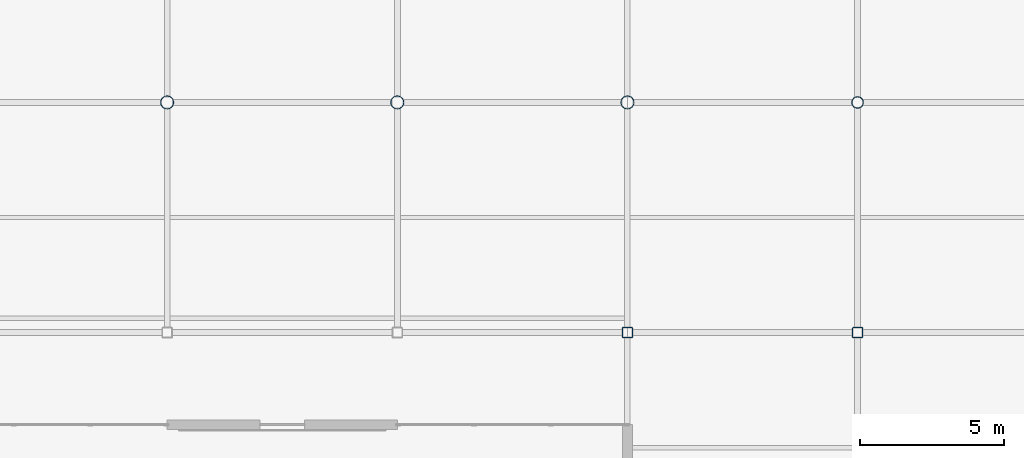
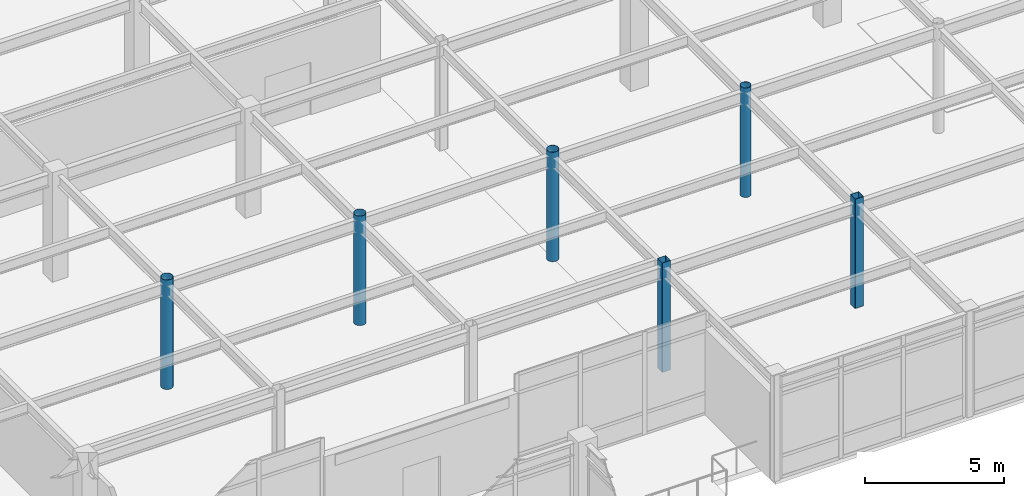
# One storey, part 14 of 117: 6 columns.
"""IFC4 building model written with IfcOpenShell, lengths in metres."""

from ifc_helpers import new_model, si_unit, direction, frame, origin, origin_2d, place, context, subcontext, project, spatial, hollow_rectangle, hollow_circle, extrude, material, material_profile, profile_set, type_object, element, save


model = new_model("IFC4")

# Units and contexts
model_context = context("Model", 3, precision=1e-05, world=origin(), true_north=direction((0.0, 1.0)))
body_context = subcontext(model_context, "Body", "Model", "MODEL_VIEW")
ifc_project = project(units=[si_unit("LENGTHUNIT", "METRE"), si_unit("AREAUNIT", "SQUARE_METRE"), si_unit("VOLUMEUNIT", "CUBIC_METRE"), si_unit("PLANEANGLEUNIT", "RADIAN"), si_unit("MASSUNIT", "GRAM", prefix="KILO")], contexts=[model_context])

# Site, building, storey
site_placement = place(None, origin())
site = spatial("IfcSite", under=ifc_project, at=site_placement, CompositionType="ELEMENT")
building_placement = place(site_placement, origin())
building = spatial("IfcBuilding", under=site, at=building_placement, Name="Solmirada Galleria", CompositionType="ELEMENT")
storey_placement = place(building_placement, frame((0.0, 0.0, 5.60009765625)))
storey = spatial("IfcBuildingStorey", under=building, at=storey_placement, Name="L01", CompositionType="ELEMENT", Elevation=5.60009765625)

# Columns
ifc_material = material(Name="Steel S355 / ASTM A500 Grade C", Category="steel")
ifc_material_profile_1 = material_profile(ifc_material, hollow_circle(Radius=0.202880859375, WallThickness=0.01171875, at=origin_2d()), Name="HSS16.000X0.500")
ifc_profile_set_1 = profile_set([ifc_material_profile_1], Name="Steel S355 / ASTM A500 Grade C")
column_type_1 = type_object("IfcColumnType", Name="COL-CHS16", PredefinedType="COLUMN", material=ifc_profile_set_1)
column_placement = place(storey_placement, frame((128.0, 88.0, 0.0), z_axis=(0.0, 0.0, 1.0), x_axis=(1.0, 0.0, 0.0)))
element("IfcColumn", 1, at=column_placement, inside=storey, type_object=column_type_1, Name="Structural column L01-1061", PredefinedType="COLUMN", context=body_context, shape_type="SweptSolid", body=[
    extrude(hollow_circle(Radius=0.202880859375, WallThickness=0.01171875, at=origin_2d()), origin(), (0.0, 0.0, 1.0), 4.7998046875),
])
ifc_material_profile_2 = material_profile(ifc_material, hollow_circle(Radius=0.228515625, WallThickness=0.01171875, at=origin_2d()), Name="HSS18.000X0.500")
ifc_profile_set_2 = profile_set([ifc_material_profile_2], Name="Steel S355 / ASTM A500 Grade C")
column_type_2 = type_object("IfcColumnType", Name="COL-CHS18", PredefinedType="COLUMN", material=ifc_profile_set_2)
for number, where, z_axis, x_axis, name in (
    (2, (104.0, 88.0, 0.0), (0.0, 0.0, 1.0), (1.0, 0.0, 0.0), "Structural column L01-0771"),
    (3, (112.0, 88.0, 0.0), (0.0, 0.0, 1.0), (1.0, 0.0, 0.0), "Structural column L01-0887"),
    (4, (120.0, 88.0, 0.0), (0.0, 0.0, 1.0), (1.0, 0.0, 0.0), "Structural column L01-0978"),
):
    element("IfcColumn", number, at=place(storey_placement, frame(where, z_axis=z_axis, x_axis=x_axis)), inside=storey, type_object=column_type_2, Name=name, PredefinedType="COLUMN", context=body_context, shape_type="SweptSolid", body=[
        extrude(hollow_circle(Radius=0.228515625, WallThickness=0.01171875, at=origin_2d()), origin(), (0.0, 0.0, 1.0), 4.7998046875),
    ])
ifc_material_profile_3 = material_profile(ifc_material, hollow_rectangle(XDim=0.35595703125, YDim=0.35595703125, WallThickness=0.01171875, InnerFilletRadius=0.01171875, OuterFilletRadius=0.023681640625, at=origin_2d()), Name="HSS14X14X1/2")
ifc_profile_set_3 = profile_set([ifc_material_profile_3], Name="Steel S355 / ASTM A500 Grade C")
column_type_3 = type_object("IfcColumnType", Name="COL-HSS14", PredefinedType="COLUMN", material=ifc_profile_set_3)
for number, where, z_axis, x_axis, name in (
    (5, (120.0, 80.0, 0.0), (0.0, 0.0, 1.0), (1.0, 0.0, 0.0), "Structural column L01-0973"),
    (6, (128.0, 80.0, 0.0), (0.0, 0.0, 1.0), (1.0, 0.0, 0.0), "Structural column L01-1056"),
):
    element("IfcColumn", number, at=place(storey_placement, frame(where, z_axis=z_axis, x_axis=x_axis)), inside=storey, type_object=column_type_3, Name=name, PredefinedType="COLUMN", context=body_context, shape_type="SweptSolid", body=[
        extrude(hollow_rectangle(XDim=0.35595703125, YDim=0.35595703125, WallThickness=0.01171875, InnerFilletRadius=0.01171875, OuterFilletRadius=0.023681640625, at=origin_2d()), origin(), (0.0, 0.0, 1.0), 4.7998046875),
    ])

save(model, "model.ifc")
